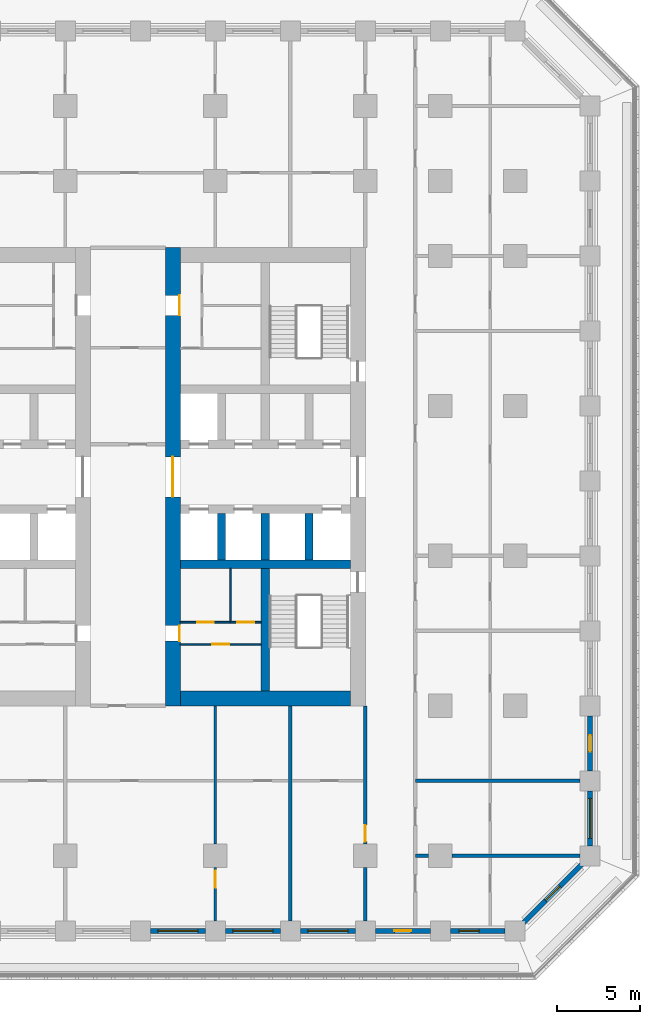
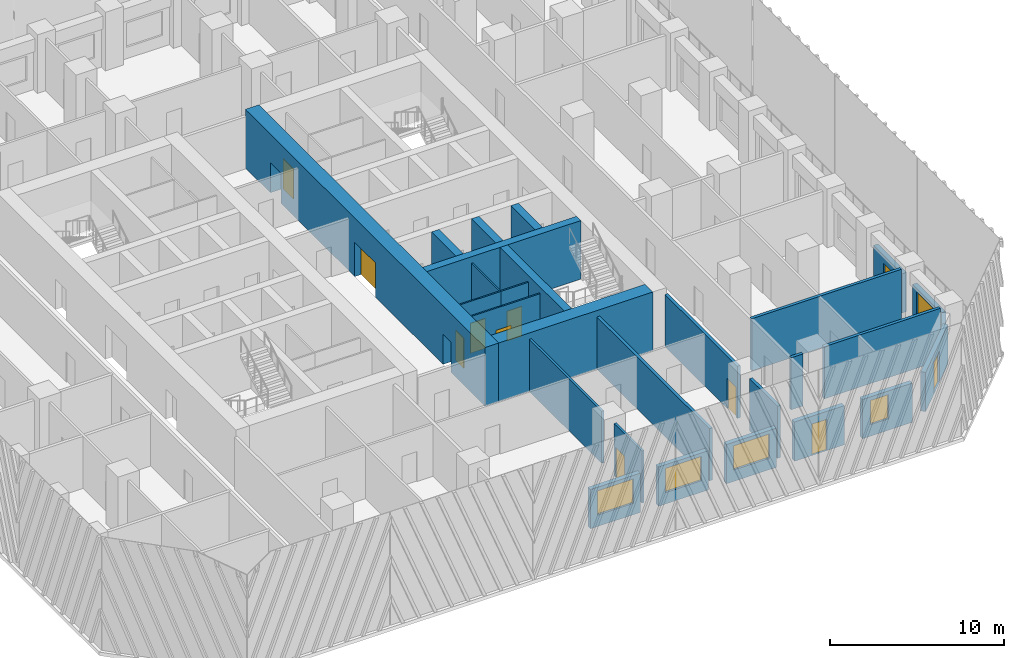
# One storey, part 5 of 20: 27 walls, 11 doors, 5 windows, 16 openings.
"""IFC4 building model written with IfcOpenShell, lengths in metres."""

from ifc_helpers import new_model, si_unit, direction, frame, frame_2d, origin, place, context, subcontext, project, spatial, rectangle, extrude, material, layer, layer_set, type_object, element, fill, save


model = new_model("IFC4")

# Units and contexts
model_context = context("Model", 3, precision=1e-05, world=origin(), true_north=direction((0.0, 1.0)))
body_context = subcontext(model_context, "Body", "Model", "MODEL_VIEW")
ifc_project = project(units=[si_unit("LENGTHUNIT", "METRE"), si_unit("AREAUNIT", "SQUARE_METRE"), si_unit("VOLUMEUNIT", "CUBIC_METRE"), si_unit("PLANEANGLEUNIT", "RADIAN"), si_unit("MASSUNIT", "GRAM", prefix="KILO")], contexts=[model_context])

# Site, building, storey
site_placement = place(None, origin())
site = spatial("IfcSite", under=ifc_project, at=site_placement, CompositionType="ELEMENT")
building_placement = place(site_placement, origin())
building = spatial("IfcBuilding", under=site, at=building_placement, Name="Corbel Stack Research Tower", CompositionType="ELEMENT")
storey_placement = place(building_placement, frame((0.0, 0.0, 98.39990234375)))
storey = spatial("IfcBuildingStorey", under=building, at=storey_placement, Name="L22", CompositionType="ELEMENT", Elevation=98.39990234375)

# Walls
ifc_material_1 = material(Name="Concrete C70/85", Category="concrete")
ifc_layer_1 = layer(ifc_material_1, 0.5)
ifc_layer_set_1 = layer_set([ifc_layer_1], Name="Concrete C70/85")
wall_type_1 = type_object("IfcWallType", Name="CW-500-70", PredefinedType="SHEAR", material=ifc_layer_set_1)
wall_1_placement = place(storey_placement, frame((6.89990234375, -0.5, 0.0), z_axis=(0.0, 0.0, 1.0), x_axis=(1.0, 0.0, 0.0)))
element("IfcWall", 1, at=wall_1_placement, inside=storey, type_object=wall_type_1, Name="East core wall, south row back L22", PredefinedType="SHEAR", context=body_context, shape_type="SweptSolid", body=[
    extrude(rectangle(XDim=10.2001953125, YDim=0.5, at=frame_2d((5.10009765625, 0.0))), origin(), (0.0, 0.0, 1.0), 4.10009765625),
])
for number, where, z_axis, x_axis, name in (
    (2, (9.375, -0.25, 0.0), (0.0, 0.0, 1.0), (0.0, 1.0, 0.0), "East core wall, south shaft 1 L22"),
    (3, (12.0, -0.25, 0.0), (0.0, 0.0, 1.0), (0.0, 1.0, 0.0), "East core wall, south shaft 2 L22"),
    (4, (14.625, -0.25, 0.0), (0.0, 0.0, 1.0), (0.0, 1.0, 0.0), "East core wall, south shaft 3 L22"),
):
    element("IfcWall", number, at=place(storey_placement, frame(where, z_axis=z_axis, x_axis=x_axis)), inside=storey, type_object=wall_type_1, Name=name, PredefinedType="SHEAR", context=body_context, shape_type="SweptSolid", body=[
        extrude(rectangle(XDim=2.800048828125, YDim=0.5, at=frame_2d((1.39990234375, 0.0))), origin(), (0.0, 0.0, 1.0), 4.10009765625),
    ])
wall_2_placement = place(storey_placement, frame((12.0, -8.10009765625, 0.0), z_axis=(0.0, 0.0, 1.0), x_axis=(0.0, 1.0, 0.0)))
element("IfcWall", 5, at=wall_2_placement, inside=storey, type_object=wall_type_1, Name="East core wall, south stair and WC L22", PredefinedType="SHEAR", context=body_context, shape_type="SweptSolid", body=[
    extrude(rectangle(XDim=7.35009765625, YDim=0.5, at=frame_2d((3.675048828125, 0.0))), origin(), (0.0, 0.0, 1.0), 4.10009765625),
])

# Wall, openings, doors
ifc_material_2 = material(Name="Concrete C70/85", Category="concrete")
ifc_layer_2 = layer(ifc_material_2, 0.89990234375)
ifc_layer_set_2 = layer_set([ifc_layer_2], Name="Concrete C70/85")
wall_type_2 = type_object("IfcWallType", Name="CW-900-70", PredefinedType="SHEAR", material=ifc_layer_set_2)
wall_3_placement = place(storey_placement, frame((6.449951171875, -9.0, 0.0), z_axis=(0.0, 0.0, 1.0), x_axis=(0.0, 1.0, 0.0)))
wall_3 = element("IfcWall", 6, at=wall_3_placement, inside=storey, type_object=wall_type_2, Name="East core wall, west face L22", PredefinedType="SHEAR", context=body_context, shape_type="SweptSolid", body=[
    extrude(rectangle(XDim=27.5, YDim=0.89990234375, at=frame_2d((13.75, 0.0))), origin(), (0.0, 0.0, 1.0), 4.10009765625),
])
opening_1_placement = place(wall_3_placement, frame((12.550048828125, 0.0, 0.0)))
opening_1 = element("IfcOpeningElement", 7, at=opening_1_placement, cuts=wall_3, Name="Opening CD-E-W", PredefinedType="OPENING", context=body_context, shape_type="SweptSolid", body=[
    extrude(rectangle(XDim=2.39990234375, YDim=2.39990234375, at=frame_2d((1.199951171875, 1.199951171875))), frame((0.0, 0.4599609375, 0.0), z_axis=(0.0, -1.0, 0.0), x_axis=(1.0, 0.0, 0.0)), (0.0, 0.0, 1.0), 0.919921875),
])
opening_2_placement = place(wall_3_placement, frame((3.89306640625, 0.0, 0.0)))
opening_2 = element("IfcOpeningElement", 8, at=opening_2_placement, cuts=wall_3, Name="Opening CR-E24-W1-923", PredefinedType="OPENING", context=body_context, shape_type="SweptSolid", body=[
    extrude(rectangle(XDim=0.923095703125, YDim=2.10009765625, at=frame_2d((0.46142578125, 1.050048828125))), frame((0.0, 0.4599609375, 0.0), z_axis=(0.0, -1.0, 0.0), x_axis=(1.0, 0.0, 0.0)), (0.0, 0.0, 1.0), 0.919921875),
])
opening_3_placement = place(wall_3_placement, frame((23.427490234375, 0.0, 0.0)))
opening_3 = element("IfcOpeningElement", 9, at=opening_3_placement, cuts=wall_3, Name="Opening CR-E24-R2-1200", PredefinedType="OPENING", context=body_context, shape_type="SweptSolid", body=[
    extrude(rectangle(XDim=1.199951171875, YDim=2.10009765625, at=frame_2d((0.60009765625, 1.050048828125))), frame((0.0, 0.4599609375, 0.0), z_axis=(0.0, -1.0, 0.0), x_axis=(1.0, 0.0, 0.0)), (0.0, 0.0, 1.0), 0.919921875),
])
ifc_material_3 = material(Name="Painted steel fire door", Category="steel")
door_type_1 = type_object("IfcDoorType", Name="Lobby door pair 2400 x 2400 FD30S", OperationType="DOUBLE_DOOR_DOUBLE_SWING", PredefinedType="DOOR", material=ifc_material_3)
door_1_placement = place(opening_1_placement, origin())
door_1 = element("IfcDoor", 10, at=door_1_placement, inside=storey, type_object=door_type_1, Name="Lift lobby door E core W", OperationType="DOUBLE_DOOR_DOUBLE_SWING", OverallHeight=2.39990234375, OverallWidth=2.39990234375, PredefinedType="DOOR", context=body_context, shape_type="SweptSolid", body=[
    extrude(rectangle(XDim=2.39990234375, YDim=2.39990234375, at=frame_2d((1.199951171875, 1.199951171875))), frame((0.0, 0.02490234375, 0.0), z_axis=(0.0, -1.0, 0.0), x_axis=(1.0, 0.0, 0.0)), (0.0, 0.0, 1.0), 0.050048828125),
])
fill(opening_1, door_1)
ifc_material_4 = material(Name="Painted steel door", Category="steel")
door_type_2 = type_object("IfcDoorType", Name="Service door 1200 x 2100 FD30 left hand", OperationType="SINGLE_SWING_LEFT", PredefinedType="DOOR", material=ifc_material_4)
door_2_placement = place(opening_3_placement, origin())
door_2 = element("IfcDoor", 11, at=door_2_placement, inside=storey, type_object=door_type_2, Name="Service passage door E core", OperationType="SINGLE_SWING_LEFT", OverallHeight=2.10009765625, OverallWidth=1.199951171875, PredefinedType="DOOR", context=body_context, shape_type="SweptSolid", body=[
    extrude(rectangle(XDim=1.199951171875, YDim=2.10009765625, at=frame_2d((0.60009765625, 1.050048828125))), frame((0.0, -0.375, 0.0), z_axis=(0.0, -1.0, 0.0), x_axis=(1.0, 0.0, 0.0)), (0.0, 0.0, 1.0), 0.050048828125),
])
fill(opening_3, door_2)
ifc_material_5 = material(Name="Painted timber door", Category="wood")
door_type_3 = type_object("IfcDoorType", Name="WC door 923 x 2100 right hand", OperationType="SINGLE_SWING_RIGHT", PredefinedType="DOOR", material=ifc_material_5)
door_3_placement = place(opening_2_placement, origin())
door_3 = element("IfcDoor", 12, at=door_3_placement, inside=storey, type_object=door_type_3, Name="WC lobby door E core", OperationType="SINGLE_SWING_RIGHT", OverallHeight=2.10009765625, OverallWidth=0.923095703125, PredefinedType="DOOR", context=body_context, shape_type="SweptSolid", body=[
    extrude(rectangle(XDim=0.923095703125, YDim=2.10009765625, at=frame_2d((0.46142578125, 1.050048828125))), frame((0.0, -0.375, 0.0), z_axis=(0.0, -1.0, 0.0), x_axis=(1.0, 0.0, 0.0)), (0.0, 0.0, 1.0), 0.050048828125),
])
fill(opening_2, door_3)

# Wall
wall_4_placement = place(storey_placement, frame((6.89990234375, -8.550048828125, 0.0), z_axis=(0.0, 0.0, 1.0), x_axis=(1.0, 0.0, 0.0)))
element("IfcWall", 13, at=wall_4_placement, inside=storey, type_object=wall_type_2, Name="East core wall, south end L22", PredefinedType="SHEAR", context=body_context, shape_type="SweptSolid", body=[
    extrude(rectangle(XDim=10.2001953125, YDim=0.89990234375, at=frame_2d((5.10009765625, 0.0))), origin(), (0.0, 0.0, 1.0), 4.10009765625),
])

# Wall, opening, door
ifc_material_6 = material(Name="Gypsum board")
ifc_layer_3 = layer(ifc_material_6, 0.10009765625)
ifc_layer_set_3 = layer_set([ifc_layer_3], Name="Gypsum board")
wall_type_3 = type_object("IfcWallType", Name="Core partition 100", PredefinedType="PARTITIONING", material=ifc_layer_set_3)
wall_5_placement = place(storey_placement, frame((6.89990234375, -5.306884765625, 0.0), z_axis=(0.0, 0.0, 1.0), x_axis=(1.0, 0.0, 0.0)))
wall_5 = element("IfcWall", 14, at=wall_5_placement, inside=storey, type_object=wall_type_3, Name="Core partition E", PredefinedType="PARTITIONING", context=body_context, shape_type="SweptSolid", body=[
    extrude(rectangle(XDim=4.85009765625, YDim=0.10009765625, at=frame_2d((2.425048828125, 0.0))), origin(), (0.0, 0.0, 1.0), 3.650146484375),
])
opening_4_placement = place(wall_5_placement, frame((1.925048828125, 0.0, 0.0)))
opening_4 = element("IfcOpeningElement", 15, at=opening_4_placement, cuts=wall_5, Name="Opening CR-E24-W2-1000", PredefinedType="OPENING", context=body_context, shape_type="SweptSolid", body=[
    extrude(rectangle(XDim=1.0, YDim=2.10009765625, at=frame_2d((0.5, 1.050048828125))), frame((0.0, 0.06005859375, 0.0), z_axis=(0.0, -1.0, 0.0), x_axis=(1.0, 0.0, 0.0)), (0.0, 0.0, 1.0), 0.1201171875),
])
ifc_material_7 = material(Name="Painted timber door", Category="wood")
door_type_4 = type_object("IfcDoorType", Name="WC door 1000 x 2100 left hand", OperationType="SINGLE_SWING_LEFT", PredefinedType="DOOR", material=ifc_material_7)
door_4_placement = place(opening_4_placement, origin())
door_4 = element("IfcDoor", 16, at=door_4_placement, inside=storey, type_object=door_type_4, Name="Men's WC door E core", OperationType="SINGLE_SWING_LEFT", OverallHeight=2.10009765625, OverallWidth=1.0, PredefinedType="DOOR", context=body_context, shape_type="SweptSolid", body=[
    extrude(rectangle(XDim=1.0, YDim=2.10009765625, at=frame_2d((0.5, 1.050048828125))), frame((0.0, 0.02490234375, 0.0), z_axis=(0.0, -1.0, 0.0), x_axis=(1.0, 0.0, 0.0)), (0.0, 0.0, 1.0), 0.050048828125),
])
fill(opening_4, door_4)

wall_6_placement = place(storey_placement, frame((6.89990234375, -3.98388671875, 0.0), z_axis=(0.0, 0.0, 1.0), x_axis=(1.0, 0.0, 0.0)))
wall_6 = element("IfcWall", 17, at=wall_6_placement, inside=storey, type_object=wall_type_3, Name="Core partition E", PredefinedType="PARTITIONING", context=body_context, shape_type="SweptSolid", body=[
    extrude(rectangle(XDim=3.007080078125, YDim=0.10009765625, at=frame_2d((1.50341796875, 0.0))), origin(), (0.0, 0.0, 1.0), 3.650146484375),
])
opening_5_placement = place(wall_6_placement, frame((1.00341796875, 0.0, 0.0)))
opening_5 = element("IfcOpeningElement", 18, at=opening_5_placement, cuts=wall_6, Name="Opening CR-E24-W3-1000", PredefinedType="OPENING", context=body_context, shape_type="SweptSolid", body=[
    extrude(rectangle(XDim=1.0, YDim=2.10009765625, at=frame_2d((0.5, 1.050048828125))), frame((0.0, 0.06005859375, 0.0), z_axis=(0.0, -1.0, 0.0), x_axis=(1.0, 0.0, 0.0)), (0.0, 0.0, 1.0), 0.1201171875),
])
ifc_material_8 = material(Name="Painted timber door", Category="wood")
door_type_5 = type_object("IfcDoorType", Name="WC door 1000 x 2100 right hand", OperationType="SINGLE_SWING_RIGHT", PredefinedType="DOOR", material=ifc_material_8)
door_5_placement = place(opening_5_placement, origin())
door_5 = element("IfcDoor", 19, at=door_5_placement, inside=storey, type_object=door_type_5, Name="Women's WC door E core", OperationType="SINGLE_SWING_RIGHT", OverallHeight=2.10009765625, OverallWidth=1.0, PredefinedType="DOOR", context=body_context, shape_type="SweptSolid", body=[
    extrude(rectangle(XDim=1.0, YDim=2.10009765625, at=frame_2d((0.5, 1.050048828125))), frame((0.0, 0.02490234375, 0.0), z_axis=(0.0, -1.0, 0.0), x_axis=(1.0, 0.0, 0.0)), (0.0, 0.0, 1.0), 0.050048828125),
])
fill(opening_5, door_5)

wall_7_placement = place(storey_placement, frame((9.906982421875, -3.98388671875, 0.0), z_axis=(0.0, 0.0, 1.0), x_axis=(1.0, 0.0, 0.0)))
wall_7 = element("IfcWall", 20, at=wall_7_placement, inside=storey, type_object=wall_type_3, Name="Core partition E", PredefinedType="PARTITIONING", context=body_context, shape_type="SweptSolid", body=[
    extrude(rectangle(XDim=1.843017578125, YDim=0.10009765625, at=frame_2d((0.92138671875, 0.0))), origin(), (0.0, 0.0, 1.0), 3.650146484375),
])
opening_6_placement = place(wall_7_placement, frame((0.42138671875, 0.0, 0.0)))
opening_6 = element("IfcOpeningElement", 21, at=opening_6_placement, cuts=wall_7, Name="Opening CR-E24-W4-1000", PredefinedType="OPENING", context=body_context, shape_type="SweptSolid", body=[
    extrude(rectangle(XDim=1.0, YDim=2.10009765625, at=frame_2d((0.5, 1.050048828125))), frame((0.0, 0.06005859375, 0.0), z_axis=(0.0, -1.0, 0.0), x_axis=(1.0, 0.0, 0.0)), (0.0, 0.0, 1.0), 0.1201171875),
])
door_6_placement = place(opening_6_placement, origin())
door_6 = element("IfcDoor", 22, at=door_6_placement, inside=storey, type_object=door_type_4, Name="Accessible WC door E core", OperationType="SINGLE_SWING_LEFT", OverallHeight=2.10009765625, OverallWidth=1.0, PredefinedType="DOOR", context=body_context, shape_type="SweptSolid", body=[
    extrude(rectangle(XDim=1.0, YDim=2.10009765625, at=frame_2d((0.5, 1.050048828125))), frame((0.0, 0.02490234375, 0.0), z_axis=(0.0, -1.0, 0.0), x_axis=(1.0, 0.0, 0.0)), (0.0, 0.0, 1.0), 0.050048828125),
])
fill(opening_6, door_6)

# Wall
wall_8_placement = place(storey_placement, frame((9.906982421875, -3.98388671875, 0.0), z_axis=(0.0, 0.0, 1.0), x_axis=(0.0, 1.0, 0.0)))
element("IfcWall", 23, at=wall_8_placement, inside=storey, type_object=wall_type_3, Name="Core partition E", PredefinedType="PARTITIONING", context=body_context, shape_type="SweptSolid", body=[
    extrude(rectangle(XDim=3.23388671875, YDim=0.10009765625, at=frame_2d((1.616943359375, 0.0))), origin(), (0.0, 0.0, 1.0), 3.650146484375),
])

# Wall, opening, door
ifc_material_9 = material(Name="Fire-rated gypsum board partition on steel studs", Category="steel")
ifc_layer_4 = layer(ifc_material_9, 0.14990234375)
ifc_layer_set_4 = layer_set([ifc_layer_4], Name="Fire-rated gypsum board partition on steel studs")
wall_type_4 = type_object("IfcWallType", Name="Fire-rated partition 150 EI 60", PredefinedType="PARTITIONING", material=ifc_layer_set_4)
wall_9_placement = place(storey_placement, frame((9.0, -18.699951171875, 0.0), z_axis=(0.0, 0.0, 1.0), x_axis=(0.0, -1.0, 0.0)))
wall_9 = element("IfcWall", 24, at=wall_9_placement, inside=storey, type_object=wall_type_4, Name="Partition L22-017", PredefinedType="PARTITIONING", context=body_context, shape_type="SweptSolid", body=[
    extrude(rectangle(XDim=3.199951171875, YDim=0.14990234375, at=frame_2d((1.60009765625, 0.0))), origin(), (0.0, 0.0, 1.0), 3.650146484375),
])
opening_7_placement = place(wall_9_placement, frame((0.199951171875, 0.0, 0.0)))
opening_7 = element("IfcOpeningElement", 25, at=opening_7_placement, cuts=wall_9, Name="Opening B3V2-029", PredefinedType="OPENING", context=body_context, shape_type="SweptSolid", body=[
    extrude(rectangle(XDim=1.0, YDim=2.10009765625, at=frame_2d((0.5, 1.050048828125))), frame((0.0, 0.0849609375, 0.0), z_axis=(0.0, -1.0, 0.0), x_axis=(1.0, 0.0, 0.0)), (0.0, 0.0, 1.0), 0.169921875),
])
ifc_material_10 = material(Name="Painted steel fire door", Category="steel")
door_type_6 = type_object("IfcDoorType", Name="Fire door FD30S 1000 x 2100", OperationType="NOTDEFINED", PredefinedType="DOOR", material=ifc_material_10)
door_7_placement = place(opening_7_placement, origin())
door_7 = element("IfcDoor", 26, at=door_7_placement, inside=storey, type_object=door_type_6, Name="Door B3V2-029", OperationType="SINGLE_SWING_LEFT", OverallHeight=2.10009765625, OverallWidth=1.0, PredefinedType="DOOR", context=body_context, shape_type="SweptSolid", body=[
    extrude(rectangle(XDim=1.0, YDim=2.10009765625, at=frame_2d((0.5, 1.050048828125))), frame((0.0, 0.02490234375, 0.0), z_axis=(0.0, -1.0, 0.0), x_axis=(1.0, 0.0, 0.0)), (0.0, 0.0, 1.0), 0.050048828125),
])
fill(opening_7, door_7)

# Walls
ifc_material_11 = material(Name="Fire-rated gypsum board partition on steel studs", Category="steel")
ifc_layer_5 = layer(ifc_material_11, 0.199951171875)
ifc_layer_set_5 = layer_set([ifc_layer_5], Name="Fire-rated gypsum board partition on steel studs")
wall_type_5 = type_object("IfcWallType", Name="Fire-rated partition 200 EI 60", PredefinedType="PARTITIONING", material=ifc_layer_set_5)
wall_10_placement = place(storey_placement, frame((13.5, -21.89990234375, 0.0), z_axis=(0.0, 0.0, 1.0), x_axis=(0.0, 1.0, 0.0)))
element("IfcWall", 27, at=wall_10_placement, inside=storey, type_object=wall_type_5, Name="Partition L22-022", PredefinedType="PARTITIONING", context=body_context, shape_type="SweptSolid", body=[
    extrude(rectangle(XDim=12.89990234375, YDim=0.199951171875, at=frame_2d((6.449951171875, 0.0))), origin(), (0.0, 0.0, 1.0), 3.650146484375),
])
wall_11_placement = place(storey_placement, frame((18.0, -21.89990234375, 0.0), z_axis=(0.0, 0.0, 1.0), x_axis=(0.0, 1.0, 0.0)))
element("IfcWall", 28, at=wall_11_placement, inside=storey, type_object=wall_type_5, Name="Partition L22-024", PredefinedType="PARTITIONING", context=body_context, shape_type="SweptSolid", body=[
    extrude(rectangle(XDim=3.199951171875, YDim=0.199951171875, at=frame_2d((1.60009765625, 0.0))), origin(), (0.0, 0.0, 1.0), 3.650146484375),
])

# Wall, opening, door
wall_12_placement = place(storey_placement, frame((18.0, -17.300048828125, 0.0), z_axis=(0.0, 0.0, 1.0), x_axis=(0.0, 1.0, 0.0)))
wall_12 = element("IfcWall", 29, at=wall_12_placement, inside=storey, type_object=wall_type_5, Name="Partition L22-025", PredefinedType="PARTITIONING", context=body_context, shape_type="SweptSolid", body=[
    extrude(rectangle(XDim=8.300048828125, YDim=0.199951171875, at=frame_2d((4.14990234375, 0.0))), origin(), (0.0, 0.0, 1.0), 3.650146484375),
])
opening_8_placement = place(wall_12_placement, frame((0.14990234375, 0.0, 0.0)))
opening_8 = element("IfcOpeningElement", 30, at=opening_8_placement, cuts=wall_12, Name="Opening B3V2-032", PredefinedType="OPENING", context=body_context, shape_type="SweptSolid", body=[
    extrude(rectangle(XDim=1.0, YDim=2.10009765625, at=frame_2d((0.5, 1.050048828125))), frame((0.0, 0.10986328125, 0.0), z_axis=(0.0, -1.0, 0.0), x_axis=(1.0, 0.0, 0.0)), (0.0, 0.0, 1.0), 0.219970703125),
])
door_8_placement = place(opening_8_placement, origin())
door_8 = element("IfcDoor", 31, at=door_8_placement, inside=storey, type_object=door_type_6, Name="Door B3V2-032", OperationType="SINGLE_SWING_LEFT", OverallHeight=2.10009765625, OverallWidth=1.0, PredefinedType="DOOR", context=body_context, shape_type="SweptSolid", body=[
    extrude(rectangle(XDim=1.0, YDim=2.10009765625, at=frame_2d((0.5, 1.050048828125))), frame((0.0, 0.02490234375, 0.0), z_axis=(0.0, -1.0, 0.0), x_axis=(1.0, 0.0, 0.0)), (0.0, 0.0, 1.0), 0.050048828125),
])
fill(opening_8, door_8)

# Walls
wall_13_placement = place(storey_placement, frame((21.0, -18.0, 0.0), z_axis=(0.0, 0.0, 1.0), x_axis=(1.0, 0.0, 0.0)))
element("IfcWall", 32, at=wall_13_placement, inside=storey, type_object=wall_type_5, Name="Partition L22-032", PredefinedType="PARTITIONING", context=body_context, shape_type="SweptSolid", body=[
    extrude(rectangle(XDim=0.800048828125, YDim=0.199951171875, at=frame_2d((0.39990234375, 0.0))), origin(), (0.0, 0.0, 1.0), 3.650146484375),
])
wall_14_placement = place(storey_placement, frame((23.199951171875, -18.0, 0.0), z_axis=(0.0, 0.0, 1.0), x_axis=(1.0, 0.0, 0.0)))
element("IfcWall", 33, at=wall_14_placement, inside=storey, type_object=wall_type_5, Name="Partition L22-033", PredefinedType="PARTITIONING", context=body_context, shape_type="SweptSolid", body=[
    extrude(rectangle(XDim=7.699951171875, YDim=0.199951171875, at=frame_2d((3.85009765625, 0.0))), origin(), (0.0, 0.0, 1.0), 3.650146484375),
])
wall_15_placement = place(storey_placement, frame((21.0, -13.5, 0.0), z_axis=(0.0, 0.0, 1.0), x_axis=(1.0, 0.0, 0.0)))
element("IfcWall", 34, at=wall_15_placement, inside=storey, type_object=wall_type_5, Name="Partition L22-036", PredefinedType="PARTITIONING", context=body_context, shape_type="SweptSolid", body=[
    extrude(rectangle(XDim=9.89990234375, YDim=0.199951171875, at=frame_2d((4.949951171875, 0.0))), origin(), (0.0, 0.0, 1.0), 3.650146484375),
])
ifc_material_12 = material(Name="Gypsum board partition on steel studs", Category="steel")
ifc_layer_6 = layer(ifc_material_12, 0.14990234375)
ifc_layer_set_6 = layer_set([ifc_layer_6], Name="Gypsum board partition on steel studs")
wall_type_6 = type_object("IfcWallType", Name="Partition 150", PredefinedType="PARTITIONING", material=ifc_layer_set_6)
wall_16_placement = place(storey_placement, frame((9.0, -17.300048828125, 0.0), z_axis=(0.0, 0.0, 1.0), x_axis=(0.0, 1.0, 0.0)))
element("IfcWall", 35, at=wall_16_placement, inside=storey, type_object=wall_type_6, Name="Partition L22-018", PredefinedType="PARTITIONING", context=body_context, shape_type="SweptSolid", body=[
    extrude(rectangle(XDim=8.300048828125, YDim=0.14990234375, at=frame_2d((4.14990234375, 0.0))), origin(), (0.0, 0.0, 1.0), 3.650146484375),
])

# Wall, opening, window
ifc_material_13 = material(Name="Concrete C45/55", Category="concrete")
ifc_layer_7 = layer(ifc_material_13, 0.300048828125)
ifc_layer_set_7 = layer_set([ifc_layer_7], Name="Concrete C45/55")
wall_type_7 = type_object("IfcWallType", Name="Terracotta-faced concrete wall 300", PredefinedType="SOLIDWALL", material=ifc_layer_set_7)
wall_17_placement = place(storey_placement, frame((8.39990234375, -22.5, 0.0), z_axis=(0.0, 0.0, 1.0), x_axis=(-1.0, 0.0, 0.0)))
wall_17 = element("IfcWall", 36, at=wall_17_placement, inside=storey, type_object=wall_type_7, Name="Facade wall L22 S06", PredefinedType="SOLIDWALL", context=body_context, shape_type="SweptSolid", body=[
    extrude(rectangle(XDim=3.2998046875, YDim=0.300048828125, at=frame_2d((1.64990234375, 0.0))), origin(), (0.0, 0.0, 1.0), 2.75),
])
opening_9_placement = place(wall_17_placement, frame((0.449951171875, 0.0, 0.800048828125)))
opening_9 = element("IfcOpeningElement", 37, at=opening_9_placement, cuts=wall_17, Name="Opening W1", PredefinedType="OPENING", context=body_context, shape_type="SweptSolid", body=[
    extrude(rectangle(XDim=2.39990234375, YDim=1.699951171875, at=frame_2d((1.199951171875, 0.85009765625))), frame((0.0, 0.159912109375, 0.0), z_axis=(0.0, -1.0, 0.0), x_axis=(1.0, 0.0, 0.0)), (0.0, 0.0, 1.0), 0.320068359375),
])
ifc_material_14 = material(Name="Aluminium frame, clear double glazing", Category="aluminium")
window_type_1 = type_object("IfcWindowType", Name="Window W1 2400 x 1700", PartitioningType="SINGLE_PANEL", PredefinedType="WINDOW", material=ifc_material_14)
window_1_placement = place(opening_9_placement, origin())
window_1 = element("IfcWindow", 38, at=window_1_placement, inside=storey, type_object=window_type_1, Name="Window W1 L22 S06", OverallHeight=1.699951171875, OverallWidth=2.39990234375, PartitioningType="SINGLE_PANEL", PredefinedType="WINDOW", context=body_context, shape_type="SweptSolid", body=[
    extrude(rectangle(XDim=2.39990234375, YDim=1.699951171875, at=frame_2d((1.199951171875, 0.85009765625))), frame((0.0, 0.030029296875, 0.0), z_axis=(0.0, -1.0, 0.0), x_axis=(1.0, 0.0, 0.0)), (0.0, 0.0, 1.0), 0.06005859375),
])
fill(opening_9, window_1)

wall_18_placement = place(storey_placement, frame((12.89990234375, -22.5, 0.0), z_axis=(0.0, 0.0, 1.0), x_axis=(-1.0, 0.0, 0.0)))
wall_18 = element("IfcWall", 39, at=wall_18_placement, inside=storey, type_object=wall_type_7, Name="Facade wall L22 S07", PredefinedType="SOLIDWALL", context=body_context, shape_type="SweptSolid", body=[
    extrude(rectangle(XDim=3.2998046875, YDim=0.300048828125, at=frame_2d((1.64990234375, 0.0))), origin(), (0.0, 0.0, 1.0), 2.75),
])
opening_10_placement = place(wall_18_placement, frame((0.449951171875, 0.0, 0.800048828125)))
opening_10 = element("IfcOpeningElement", 40, at=opening_10_placement, cuts=wall_18, Name="Opening W1", PredefinedType="OPENING", context=body_context, shape_type="SweptSolid", body=[
    extrude(rectangle(XDim=2.39990234375, YDim=1.699951171875, at=frame_2d((1.199951171875, 0.85009765625))), frame((0.0, 0.159912109375, 0.0), z_axis=(0.0, -1.0, 0.0), x_axis=(1.0, 0.0, 0.0)), (0.0, 0.0, 1.0), 0.320068359375),
])
window_2_placement = place(opening_10_placement, origin())
window_2 = element("IfcWindow", 41, at=window_2_placement, inside=storey, type_object=window_type_1, Name="Window W1 L22 S07", OverallHeight=1.699951171875, OverallWidth=2.39990234375, PartitioningType="SINGLE_PANEL", PredefinedType="WINDOW", context=body_context, shape_type="SweptSolid", body=[
    extrude(rectangle(XDim=2.39990234375, YDim=1.699951171875, at=frame_2d((1.199951171875, 0.85009765625))), frame((0.0, 0.030029296875, 0.0), z_axis=(0.0, -1.0, 0.0), x_axis=(1.0, 0.0, 0.0)), (0.0, 0.0, 1.0), 0.06005859375),
])
fill(opening_10, window_2)

wall_19_placement = place(storey_placement, frame((17.39990234375, -22.5, 0.0), z_axis=(0.0, 0.0, 1.0), x_axis=(-1.0, 0.0, 0.0)))
wall_19 = element("IfcWall", 42, at=wall_19_placement, inside=storey, type_object=wall_type_7, Name="Facade wall L22 S08", PredefinedType="SOLIDWALL", context=body_context, shape_type="SweptSolid", body=[
    extrude(rectangle(XDim=3.2998046875, YDim=0.300048828125, at=frame_2d((1.64990234375, 0.0))), origin(), (0.0, 0.0, 1.0), 2.75),
])
opening_11_placement = place(wall_19_placement, frame((0.449951171875, 0.0, 0.800048828125)))
opening_11 = element("IfcOpeningElement", 43, at=opening_11_placement, cuts=wall_19, Name="Opening W1", PredefinedType="OPENING", context=body_context, shape_type="SweptSolid", body=[
    extrude(rectangle(XDim=2.39990234375, YDim=1.699951171875, at=frame_2d((1.199951171875, 0.85009765625))), frame((0.0, 0.159912109375, 0.0), z_axis=(0.0, -1.0, 0.0), x_axis=(1.0, 0.0, 0.0)), (0.0, 0.0, 1.0), 0.320068359375),
])
window_3_placement = place(opening_11_placement, origin())
window_3 = element("IfcWindow", 44, at=window_3_placement, inside=storey, type_object=window_type_1, Name="Window W1 L22 S08", OverallHeight=1.699951171875, OverallWidth=2.39990234375, PartitioningType="SINGLE_PANEL", PredefinedType="WINDOW", context=body_context, shape_type="SweptSolid", body=[
    extrude(rectangle(XDim=2.39990234375, YDim=1.699951171875, at=frame_2d((1.199951171875, 0.85009765625))), frame((0.0, 0.030029296875, 0.0), z_axis=(0.0, -1.0, 0.0), x_axis=(1.0, 0.0, 0.0)), (0.0, 0.0, 1.0), 0.06005859375),
])
fill(opening_11, window_3)

# Wall, opening, door
wall_20_placement = place(storey_placement, frame((21.89990234375, -22.5, 0.0), z_axis=(0.0, 0.0, 1.0), x_axis=(-1.0, 0.0, 0.0)))
wall_20 = element("IfcWall", 45, at=wall_20_placement, inside=storey, type_object=wall_type_7, Name="Facade wall L22 S09", PredefinedType="SOLIDWALL", context=body_context, shape_type="SweptSolid", body=[
    extrude(rectangle(XDim=3.2998046875, YDim=0.300048828125, at=frame_2d((1.64990234375, 0.0))), origin(), (0.0, 0.0, 1.0), 2.75),
])
opening_12_placement = place(wall_20_placement, frame((1.14990234375, 0.0, 0.0)))
opening_12 = element("IfcOpeningElement", 46, at=opening_12_placement, cuts=wall_20, Name="Opening L22-B02", PredefinedType="OPENING", context=body_context, shape_type="SweptSolid", body=[
    extrude(rectangle(XDim=1.0, YDim=2.199951171875, at=frame_2d((0.5, 1.10009765625))), frame((0.0, 0.159912109375, 0.0), z_axis=(0.0, -1.0, 0.0), x_axis=(1.0, 0.0, 0.0)), (0.0, 0.0, 1.0), 0.320068359375),
])
ifc_material_15 = material(Name="Aluminium frame, clear double glazing", Category="aluminium")
door_type_7 = type_object("IfcDoorType", Name="Balcony door BD1 1000 x 2200", OperationType="NOTDEFINED", PredefinedType="DOOR", material=ifc_material_15)
door_9_placement = place(opening_12_placement, origin())
door_9 = element("IfcDoor", 47, at=door_9_placement, inside=storey, type_object=door_type_7, Name="Balcony door L22-B02", OperationType="SINGLE_SWING_LEFT", OverallHeight=2.199951171875, OverallWidth=1.0, PredefinedType="DOOR", context=body_context, shape_type="SweptSolid", body=[
    extrude(rectangle(XDim=1.0, YDim=2.199951171875, at=frame_2d((0.5, 1.10009765625))), frame((0.0, 0.02490234375, 0.0), z_axis=(0.0, -1.0, 0.0), x_axis=(1.0, 0.0, 0.0)), (0.0, 0.0, 1.0), 0.050048828125),
])
fill(opening_12, door_9)

# Wall, opening, window
wall_21_placement = place(storey_placement, frame((26.39990234375, -22.5, 0.0), z_axis=(0.0, 0.0, 1.0), x_axis=(-1.0, 0.0, 0.0)))
wall_21 = element("IfcWall", 48, at=wall_21_placement, inside=storey, type_object=wall_type_7, Name="Facade wall L22 S10", PredefinedType="SOLIDWALL", context=body_context, shape_type="SweptSolid", body=[
    extrude(rectangle(XDim=3.2998046875, YDim=0.300048828125, at=frame_2d((1.64990234375, 0.0))), origin(), (0.0, 0.0, 1.0), 2.75),
])
opening_13_placement = place(wall_21_placement, frame((1.5625, 0.0, 0.800048828125)))
opening_13 = element("IfcOpeningElement", 49, at=opening_13_placement, cuts=wall_21, Name="Opening W2", PredefinedType="OPENING", context=body_context, shape_type="SweptSolid", body=[
    extrude(rectangle(XDim=1.199951171875, YDim=1.699951171875, at=frame_2d((0.60009765625, 0.85009765625))), frame((0.0, 0.159912109375, 0.0), z_axis=(0.0, -1.0, 0.0), x_axis=(1.0, 0.0, 0.0)), (0.0, 0.0, 1.0), 0.320068359375),
])
ifc_material_16 = material(Name="Aluminium frame, clear double glazing", Category="aluminium")
window_type_2 = type_object("IfcWindowType", Name="Window W2 1200 x 1700", PartitioningType="SINGLE_PANEL", PredefinedType="WINDOW", material=ifc_material_16)
window_4_placement = place(opening_13_placement, origin())
window_4 = element("IfcWindow", 50, at=window_4_placement, inside=storey, type_object=window_type_2, Name="Window W2 L22 S10", OverallHeight=1.699951171875, OverallWidth=1.199951171875, PartitioningType="SINGLE_PANEL", PredefinedType="WINDOW", context=body_context, shape_type="SweptSolid", body=[
    extrude(rectangle(XDim=1.199951171875, YDim=1.699951171875, at=frame_2d((0.60009765625, 0.85009765625))), frame((0.0, 0.030029296875, 0.0), z_axis=(0.0, -1.0, 0.0), x_axis=(1.0, 0.0, 0.0)), (0.0, 0.0, 1.0), 0.06005859375),
])
fill(opening_13, window_4)

# Wall, opening, door
wall_22_placement = place(storey_placement, frame((31.006103515625, -18.493896484375, 0.0), z_axis=(0.0, 0.0, 1.0), x_axis=(-0.707106781187, -0.707106781187, 0.0)))
wall_22 = element("IfcWall", 51, at=wall_22_placement, inside=storey, type_object=wall_type_7, Name="Facade wall L22 SE01", PredefinedType="SOLIDWALL", context=body_context, shape_type="SweptSolid", body=[
    extrude(rectangle(XDim=4.967041015625, YDim=0.300048828125, at=frame_2d((2.4833984375, 0.0))), origin(), (0.0, 0.0, 1.0), 2.75),
])
opening_14_placement = place(wall_22_placement, frame((1.883544921875, 0.0, 0.0)))
opening_14 = element("IfcOpeningElement", 52, at=opening_14_placement, cuts=wall_22, Name="Opening L22-B03", PredefinedType="OPENING", context=body_context, shape_type="SweptSolid", body=[
    extrude(rectangle(XDim=1.199951171875, YDim=2.199951171875, at=frame_2d((0.60009765625, 1.10009765625))), frame((0.0, 0.159912109375, 0.0), z_axis=(0.0, -1.0, 0.0), x_axis=(1.0, 0.0, 0.0)), (0.0, 0.0, 1.0), 0.320068359375),
])
ifc_material_17 = material(Name="Aluminium frame, clear double glazing", Category="aluminium")
door_type_8 = type_object("IfcDoorType", Name="Balcony door BD2 1200 x 2200", OperationType="NOTDEFINED", PredefinedType="DOOR", material=ifc_material_17)
door_10_placement = place(opening_14_placement, origin())
door_10 = element("IfcDoor", 53, at=door_10_placement, inside=storey, type_object=door_type_8, Name="Balcony door L22-B03", OperationType="SINGLE_SWING_LEFT", OverallHeight=2.199951171875, OverallWidth=1.199951171875, PredefinedType="DOOR", context=body_context, shape_type="SweptSolid", body=[
    extrude(rectangle(XDim=1.199951171875, YDim=2.199951171875, at=frame_2d((0.60009765625, 1.10009765625))), frame((0.0, 0.02490234375, 0.0), z_axis=(0.0, -1.0, 0.0), x_axis=(1.0, 0.0, 0.0)), (0.0, 0.0, 1.0), 0.050048828125),
])
fill(opening_14, door_10)

# Wall, opening, window
wall_23_placement = place(storey_placement, frame((31.5, -14.10009765625, 0.0), z_axis=(0.0, 0.0, 1.0), x_axis=(0.0, -1.0, 0.0)))
wall_23 = element("IfcWall", 54, at=wall_23_placement, inside=storey, type_object=wall_type_7, Name="Facade wall L22 E01", PredefinedType="SOLIDWALL", context=body_context, shape_type="SweptSolid", body=[
    extrude(rectangle(XDim=3.2998046875, YDim=0.300048828125, at=frame_2d((1.64990234375, 0.0))), origin(), (0.0, 0.0, 1.0), 2.75),
])
opening_15_placement = place(wall_23_placement, frame((0.449951171875, 0.0, 0.800048828125)))
opening_15 = element("IfcOpeningElement", 55, at=opening_15_placement, cuts=wall_23, Name="Opening W1", PredefinedType="OPENING", context=body_context, shape_type="SweptSolid", body=[
    extrude(rectangle(XDim=2.39990234375, YDim=1.699951171875, at=frame_2d((1.199951171875, 0.85009765625))), frame((0.0, 0.159912109375, 0.0), z_axis=(0.0, -1.0, 0.0), x_axis=(1.0, 0.0, 0.0)), (0.0, 0.0, 1.0), 0.320068359375),
])
window_5_placement = place(opening_15_placement, origin())
window_5 = element("IfcWindow", 56, at=window_5_placement, inside=storey, type_object=window_type_1, Name="Window W1 L22 E01", OverallHeight=1.699951171875, OverallWidth=2.39990234375, PartitioningType="SINGLE_PANEL", PredefinedType="WINDOW", context=body_context, shape_type="SweptSolid", body=[
    extrude(rectangle(XDim=2.39990234375, YDim=1.699951171875, at=frame_2d((1.199951171875, 0.85009765625))), frame((0.0, 0.030029296875, 0.0), z_axis=(0.0, -1.0, 0.0), x_axis=(1.0, 0.0, 0.0)), (0.0, 0.0, 1.0), 0.06005859375),
])
fill(opening_15, window_5)

# Wall, opening, door
wall_24_placement = place(storey_placement, frame((31.5, -9.60009765625, 0.0), z_axis=(0.0, 0.0, 1.0), x_axis=(0.0, -1.0, 0.0)))
wall_24 = element("IfcWall", 57, at=wall_24_placement, inside=storey, type_object=wall_type_7, Name="Facade wall L22 E02", PredefinedType="SOLIDWALL", context=body_context, shape_type="SweptSolid", body=[
    extrude(rectangle(XDim=3.2998046875, YDim=0.300048828125, at=frame_2d((1.64990234375, 0.0))), origin(), (0.0, 0.0, 1.0), 2.75),
])
opening_16_placement = place(wall_24_placement, frame((1.14990234375, 0.0, 0.0)))
opening_16 = element("IfcOpeningElement", 58, at=opening_16_placement, cuts=wall_24, Name="Opening L22-B04", PredefinedType="OPENING", context=body_context, shape_type="SweptSolid", body=[
    extrude(rectangle(XDim=1.0, YDim=2.199951171875, at=frame_2d((0.5, 1.10009765625))), frame((0.0, 0.159912109375, 0.0), z_axis=(0.0, -1.0, 0.0), x_axis=(1.0, 0.0, 0.0)), (0.0, 0.0, 1.0), 0.320068359375),
])
door_11_placement = place(opening_16_placement, origin())
door_11 = element("IfcDoor", 59, at=door_11_placement, inside=storey, type_object=door_type_7, Name="Balcony door L22-B04", OperationType="SINGLE_SWING_RIGHT", OverallHeight=2.199951171875, OverallWidth=1.0, PredefinedType="DOOR", context=body_context, shape_type="SweptSolid", body=[
    extrude(rectangle(XDim=1.0, YDim=2.199951171875, at=frame_2d((0.5, 1.10009765625))), frame((0.0, 0.02490234375, 0.0), z_axis=(0.0, -1.0, 0.0), x_axis=(1.0, 0.0, 0.0)), (0.0, 0.0, 1.0), 0.050048828125),
])
fill(opening_16, door_11)

save(model, "model.ifc")
